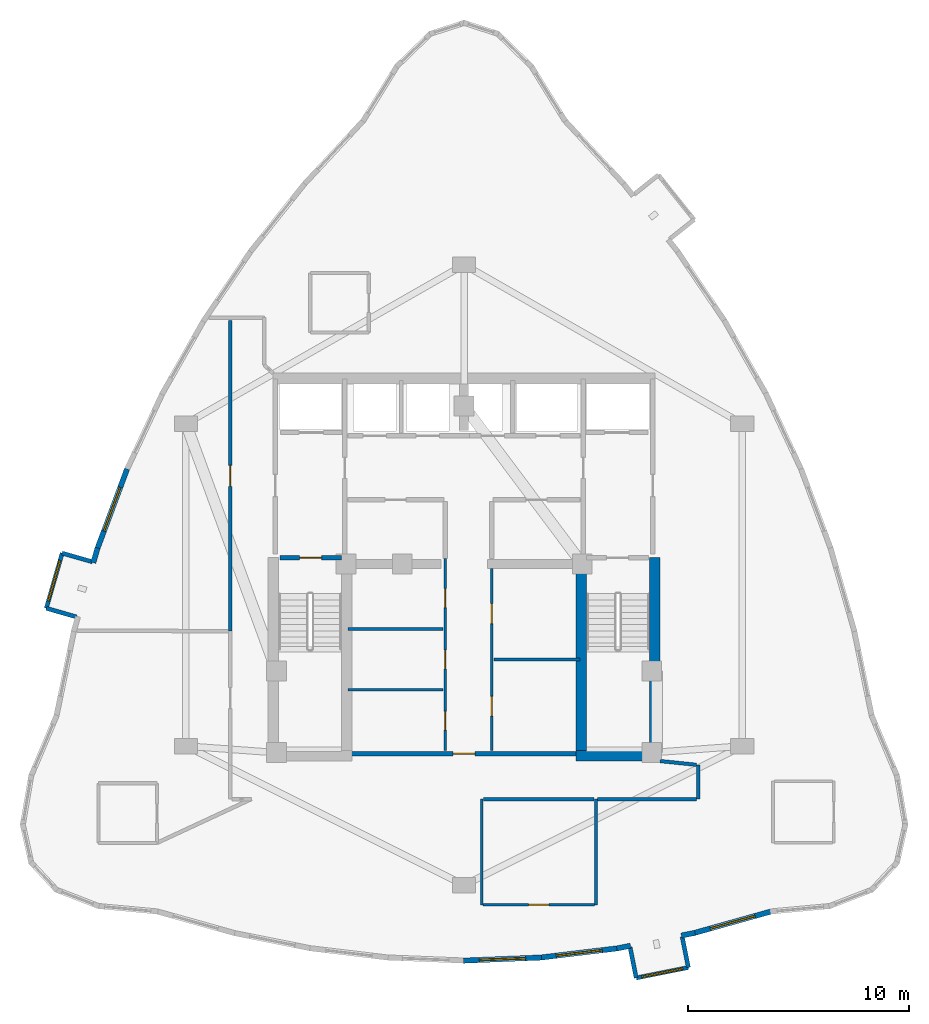
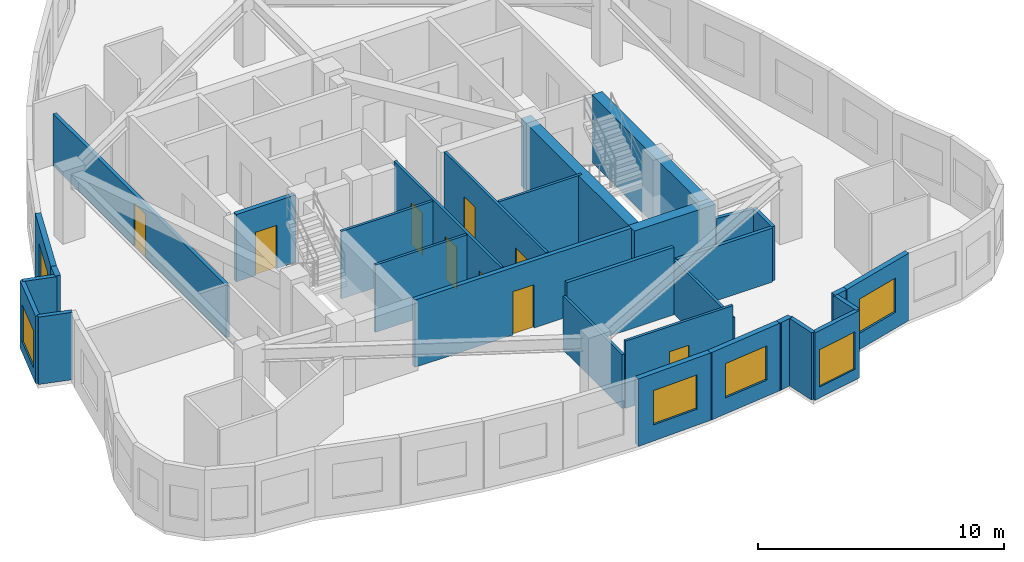
# One storey, part 5 of 9: 31 walls, 9 doors, 6 windows, 15 openings.
"""IFC4 building model written with IfcOpenShell, lengths in metres."""

from ifc_helpers import new_model, si_unit, direction, frame, frame_2d, origin, place, context, subcontext, project, spatial, rectangle, extrude, material, layer, layer_set, type_object, element, fill, save


model = new_model("IFC4")

# Units and contexts
model_context = context("Model", 3, precision=1e-05, world=origin(), true_north=direction((0.0, 1.0)))
body_context = subcontext(model_context, "Body", "Model", "MODEL_VIEW")
ifc_project = project(units=[si_unit("LENGTHUNIT", "METRE"), si_unit("AREAUNIT", "SQUARE_METRE"), si_unit("VOLUMEUNIT", "CUBIC_METRE"), si_unit("PLANEANGLEUNIT", "RADIAN"), si_unit("MASSUNIT", "GRAM", prefix="KILO")], contexts=[model_context])

# Site, building, storey
site_placement = place(None, origin())
site = spatial("IfcSite", under=ifc_project, at=site_placement, CompositionType="ELEMENT")
building_placement = place(site_placement, origin())
building = spatial("IfcBuilding", under=site, at=building_placement, Name="Miruveldt Soraemaru", CompositionType="ELEMENT")
storey_placement = place(building_placement, frame((0.0, 0.0, 223.199951171875)))
storey = spatial("IfcBuildingStorey", under=building, at=storey_placement, Name="L61", CompositionType="ELEMENT", Elevation=223.199951171875)

# Walls
ifc_material_1 = material(Name="White powder-coated aluminium EN AW-6060 T6", Category="aluminium")
ifc_layer_1 = layer(ifc_material_1, 0.18994140625, Name="White powder-coated aluminium EN AW-6060 T6", Category="aluminium")
ifc_layer_set_1 = layer_set([ifc_layer_1], Name="White powder-coated aluminium EN AW-6060 T6")
wall_type_1 = type_object("IfcWallType", Name="WALL-BAY-ALU190", PredefinedType="SOLIDWALL", material=ifc_layer_set_1)
wall_1_placement = place(storey_placement, frame((27.161865234375, 44.146728515625, 0.0), z_axis=(0.0, 0.0, 1.0), x_axis=(-0.961439844578, 0.275015318223, 0.0)))
element("IfcWall", 1, at=wall_1_placement, inside=storey, type_object=wall_type_1, Name="L61 Bay Window Side Cheek 1L", PredefinedType="SOLIDWALL", context=body_context, shape_type="SweptSolid", body=[
    extrude(rectangle(XDim=1.4248046875, YDim=0.18994140625, at=frame_2d((0.71240234375, 0.0))), origin(), (0.0, 0.0, 1.0), 3.344970703125),
])
wall_2_placement = place(storey_placement, frame((25.076904296875, 42.038818359375, 0.0), z_axis=(0.0, 0.0, 1.0), x_axis=(0.961452801096, -0.274970018845, 0.0)))
element("IfcWall", 2, at=wall_2_placement, inside=storey, type_object=wall_type_1, Name="L61 Bay Window Side Cheek 1R", PredefinedType="SOLIDWALL", context=body_context, shape_type="SweptSolid", body=[
    extrude(rectangle(XDim=1.425048828125, YDim=0.18994140625, at=frame_2d((0.71240234375, 0.0))), origin(), (0.0, 0.0, 1.0), 3.344970703125),
])

# Wall, opening, window
wall_3_placement = place(storey_placement, frame((25.7919921875, 44.53857421875, 0.0), z_axis=(0.0, 0.0, 1.0), x_axis=(-0.275031158597, -0.961435313373, 0.0)))
wall_3 = element("IfcWall", 3, at=wall_3_placement, inside=storey, type_object=wall_type_1, Name="L61 Bay Window Front Frame 1", PredefinedType="SOLIDWALL", context=body_context, shape_type="SweptSolid", body=[
    extrude(rectangle(XDim=2.60009765625, YDim=0.18994140625, at=frame_2d((1.300048828125, 0.0))), origin(), (0.0, 0.0, 1.0), 3.344970703125),
])
opening_1_placement = place(wall_3_placement, frame((0.35009765625, 0.0, 0.550048828125)))
opening_1 = element("IfcOpeningElement", 4, at=opening_1_placement, cuts=wall_3, Name="Opening WN-6", PredefinedType="OPENING", context=body_context, shape_type="SweptSolid", body=[
    extrude(rectangle(XDim=1.89990234375, YDim=1.85009765625, at=frame_2d((0.949951171875, 0.925048828125))), frame((0.0, 0.10498046875, 0.0), z_axis=(0.0, -1.0, 0.0), x_axis=(1.0, 0.0, 0.0)), (0.0, 0.0, 1.0), 0.2099609375),
])
ifc_material_2 = material(Name="Triple low-e insulated glazing", Category="glass")
window_type_1 = type_object("IfcWindowType", Name="WIN-BAYW-1900x1850", PartitioningType="SINGLE_PANEL", PredefinedType="WINDOW", material=ifc_material_2)
window_1_placement = place(opening_1_placement, origin())
window_1 = element("IfcWindow", 5, at=window_1_placement, inside=storey, type_object=window_type_1, Name="L61 Projecting Bay Window 1", OverallHeight=1.85009765625, OverallWidth=1.89990234375, PartitioningType="SINGLE_PANEL", PredefinedType="WINDOW", context=body_context, shape_type="SweptSolid", body=[
    extrude(rectangle(XDim=1.89990234375, YDim=1.85009765625, at=frame_2d((0.949951171875, 0.925048828125))), frame((0.0, 0.030029296875, 0.0), z_axis=(0.0, -1.0, 0.0), x_axis=(1.0, 0.0, 0.0)), (0.0, 0.0, 1.0), 0.06005859375),
])
fill(opening_1, window_1)

# Walls
for number, where, z_axis, x_axis, name in (
    (6, (51.5166015625, 26.693359375, 0.0), (0.0, 0.0, 1.0), (0.196149079112, -0.980574086321, 0.0), "L61 Bay Window Side Cheek 2L"),
    (7, (54.159423828125, 25.7685546875, 0.0), (0.0, 0.0, 1.0), (-0.196149079112, 0.980574086321, 0.0), "L61 Bay Window Side Cheek 2R"),
):
    element("IfcWall", number, at=place(storey_placement, frame(where, z_axis=z_axis, x_axis=x_axis)), inside=storey, type_object=wall_type_1, Name=name, PredefinedType="SOLIDWALL", context=body_context, shape_type="SweptSolid", body=[
        extrude(rectangle(XDim=1.425048828125, YDim=0.18994140625, at=frame_2d((0.71240234375, 0.0))), origin(), (0.0, 0.0, 1.0), 3.344970703125),
    ])

# Wall, opening, window
wall_4_placement = place(storey_placement, frame((51.796142578125, 25.2958984375, 0.0), z_axis=(0.0, 0.0, 1.0), x_axis=(0.980580675691, 0.196116135138, 0.0)))
wall_4 = element("IfcWall", 8, at=wall_4_placement, inside=storey, type_object=wall_type_1, Name="L61 Bay Window Front Frame 2", PredefinedType="SOLIDWALL", context=body_context, shape_type="SweptSolid", body=[
    extrude(rectangle(XDim=2.41015625, YDim=0.18994140625, at=frame_2d((1.205078125, 0.0))), origin(), (0.0, 0.0, 1.0), 3.344970703125),
])
opening_2_placement = place(wall_4_placement, frame((0.2548828125, 0.0, 0.550048828125)))
opening_2 = element("IfcOpeningElement", 9, at=opening_2_placement, cuts=wall_4, Name="Opening WN-6", PredefinedType="OPENING", context=body_context, shape_type="SweptSolid", body=[
    extrude(rectangle(XDim=1.89990234375, YDim=1.85009765625, at=frame_2d((0.949951171875, 0.925048828125))), frame((0.0, 0.10498046875, 0.0), z_axis=(0.0, -1.0, 0.0), x_axis=(1.0, 0.0, 0.0)), (0.0, 0.0, 1.0), 0.2099609375),
])
window_2_placement = place(opening_2_placement, origin())
window_2 = element("IfcWindow", 10, at=window_2_placement, inside=storey, type_object=window_type_1, Name="L61 Projecting Bay Window 2", OverallHeight=1.85009765625, OverallWidth=1.89990234375, PartitioningType="SINGLE_PANEL", PredefinedType="WINDOW", context=body_context, shape_type="SweptSolid", body=[
    extrude(rectangle(XDim=1.89990234375, YDim=1.85009765625, at=frame_2d((0.949951171875, 0.925048828125))), frame((0.0, 0.030029296875, 0.0), z_axis=(0.0, -1.0, 0.0), x_axis=(1.0, 0.0, 0.0)), (0.0, 0.0, 1.0), 0.06005859375),
])
fill(opening_2, window_2)

# Walls
ifc_material_3 = material(Name="Concrete C60/75 (60 MPa)", Category="concrete")
ifc_layer_2 = layer(ifc_material_3, 0.47998046875, Name="Concrete C60/75 (60 MPa)", Category="concrete")
ifc_layer_set_2 = layer_set([ifc_layer_2], Name="Concrete C60/75 (60 MPa)")
wall_type_2 = type_object("IfcWallType", Name="WALL-CW-480", PredefinedType="SHEAR", material=ifc_layer_set_2)
wall_5_placement = place(storey_placement, frame((49.070068359375, 35.360107421875, 0.0), z_axis=(0.0, 0.0, 1.0), x_axis=(1.0, 0.0, 0.0)))
element("IfcWall", 11, at=wall_5_placement, inside=storey, type_object=wall_type_2, Name="L61 Central Core Shear Wall S2", PredefinedType="SHEAR", context=body_context, shape_type="SweptSolid", body=[
    extrude(rectangle(XDim=3.809814453125, YDim=0.47998046875, at=frame_2d((1.90478515625, 0.0))), origin(), (0.0, 0.0, 1.0), 3.344970703125),
])
wall_6_placement = place(storey_placement, frame((52.639892578125, 35.1201171875, 0.0), z_axis=(0.0, 0.0, 1.0), x_axis=(0.0, 1.0, 0.0)))
element("IfcWall", 12, at=wall_6_placement, inside=storey, type_object=wall_type_2, Name="L61 Central Core Shear Wall E1", PredefinedType="SHEAR", context=body_context, shape_type="SweptSolid", body=[
    extrude(rectangle(XDim=9.22998046875, YDim=0.47998046875, at=frame_2d((4.614990234375, 0.0))), origin(), (0.0, 0.0, 1.0), 3.344970703125),
])
wall_7_placement = place(storey_placement, frame((49.31005859375, 35.39990234375, 0.0), z_axis=(0.0, 0.0, 1.0), x_axis=(0.0, 1.0, 0.0)))
element("IfcWall", 13, at=wall_7_placement, inside=storey, type_object=wall_type_2, Name="L61 Central Core Shear Wall SE-INT", PredefinedType="SHEAR", context=body_context, shape_type="SweptSolid", body=[
    extrude(rectangle(XDim=8.9501953125, YDim=0.47998046875, at=frame_2d((4.47509765625, 0.0))), origin(), (0.0, 0.0, 1.0), 3.344970703125),
])

# Wall, opening, window
ifc_material_4 = material(Name="Precast concrete C45/55 (45 MPa)", Category="concrete")
ifc_layer_3 = layer(ifc_material_4, 0.239990234375, Name="Precast concrete C45/55 (45 MPa)", Category="concrete")
ifc_layer_set_3 = layer_set([ifc_layer_3], Name="Precast concrete C45/55 (45 MPa)")
wall_type_3 = type_object("IfcWallType", Name="WALL-EXT-PC240", PredefinedType="SOLIDWALL", material=ifc_layer_set_3)
wall_8_placement = place(storey_placement, frame((28.734130859375, 48.352783203125, 0.0), z_axis=(0.0, 0.0, 1.0), x_axis=(-0.349010667613, -0.937118751222, 0.0)))
wall_8 = element("IfcWall", 14, at=wall_8_placement, inside=storey, type_object=wall_type_3, Name="L61 Precast Concrete Facade Wall 12", PredefinedType="SOLIDWALL", context=body_context, shape_type="SweptSolid", body=[
    extrude(rectangle(XDim=3.889404296875, YDim=0.239990234375, at=frame_2d((1.94482421875, 0.0))), origin(), (0.0, 0.0, 1.0), 3.344970703125),
])
opening_3_placement = place(wall_8_placement, frame((0.89501953125, 0.0, 0.800048828125)))
opening_3 = element("IfcOpeningElement", 15, at=opening_3_placement, cuts=wall_8, Name="Opening WN-1", PredefinedType="OPENING", context=body_context, shape_type="SweptSolid", body=[
    extrude(rectangle(XDim=2.10009765625, YDim=1.699951171875, at=frame_2d((1.050048828125, 0.85009765625))), frame((0.0, 0.1298828125, 0.0), z_axis=(0.0, -1.0, 0.0), x_axis=(1.0, 0.0, 0.0)), (0.0, 0.0, 1.0), 0.260009765625),
])
window_type_2 = type_object("IfcWindowType", Name="WIN-PUNCH-2100x1700", PartitioningType="SINGLE_PANEL", PredefinedType="WINDOW", material=ifc_material_2)
window_3_placement = place(opening_3_placement, origin())
window_3 = element("IfcWindow", 16, at=window_3_placement, inside=storey, type_object=window_type_2, Name="L61 Punched Triple-Glazed Window 12.1", OverallHeight=1.699951171875, OverallWidth=2.10009765625, PartitioningType="SINGLE_PANEL", PredefinedType="WINDOW", context=body_context, shape_type="SweptSolid", body=[
    extrude(rectangle(XDim=2.10009765625, YDim=1.699951171875, at=frame_2d((1.050048828125, 0.85009765625))), frame((0.0, 0.030029296875, 0.0), z_axis=(0.0, -1.0, 0.0), x_axis=(1.0, 0.0, 0.0)), (0.0, 0.0, 1.0), 0.06005859375),
])
fill(opening_3, window_3)

# Wall
wall_9_placement = place(storey_placement, frame((27.398681640625, 44.7744140625, 0.0), z_axis=(0.0, 0.0, 1.0), x_axis=(-0.275044220603, -0.961431576719, 0.0)))
element("IfcWall", 17, at=wall_9_placement, inside=storey, type_object=wall_type_3, Name="L61 Precast Pier Wall 13A", PredefinedType="SOLIDWALL", context=body_context, shape_type="SweptSolid", body=[
    extrude(rectangle(XDim=0.698486328125, YDim=0.239990234375, at=frame_2d((0.34912109375, 0.0))), origin(), (0.0, 0.0, 1.0), 3.344970703125),
])

# Wall, opening, window
wall_10_placement = place(storey_placement, frame((43.965087890625, 26.07861328125, 0.0), z_axis=(0.0, 0.0, 1.0), x_axis=(0.999200408983, 0.03998177945, 0.0)))
wall_10 = element("IfcWall", 18, at=wall_10_placement, inside=storey, type_object=wall_type_3, Name="L61 Precast Concrete Facade Wall 25", PredefinedType="SOLIDWALL", context=body_context, shape_type="SweptSolid", body=[
    extrude(rectangle(XDim=3.5478515625, YDim=0.239990234375, at=frame_2d((1.77392578125, 0.0))), origin(), (0.0, 0.0, 1.0), 3.344970703125),
])
opening_4_placement = place(wall_10_placement, frame((0.72412109375, 0.0, 0.800048828125)))
opening_4 = element("IfcOpeningElement", 19, at=opening_4_placement, cuts=wall_10, Name="Opening WN-1", PredefinedType="OPENING", context=body_context, shape_type="SweptSolid", body=[
    extrude(rectangle(XDim=2.10009765625, YDim=1.699951171875, at=frame_2d((1.050048828125, 0.85009765625))), frame((0.0, 0.1298828125, 0.0), z_axis=(0.0, -1.0, 0.0), x_axis=(1.0, 0.0, 0.0)), (0.0, 0.0, 1.0), 0.260009765625),
])
window_4_placement = place(opening_4_placement, origin())
window_4 = element("IfcWindow", 20, at=window_4_placement, inside=storey, type_object=window_type_2, Name="L61 Punched Triple-Glazed Window 25.1", OverallHeight=1.699951171875, OverallWidth=2.10009765625, PartitioningType="SINGLE_PANEL", PredefinedType="WINDOW", context=body_context, shape_type="SweptSolid", body=[
    extrude(rectangle(XDim=2.10009765625, YDim=1.699951171875, at=frame_2d((1.050048828125, 0.85009765625))), frame((0.0, 0.030029296875, 0.0), z_axis=(0.0, -1.0, 0.0), x_axis=(1.0, 0.0, 0.0)), (0.0, 0.0, 1.0), 0.06005859375),
])
fill(opening_4, window_4)

wall_11_placement = place(storey_placement, frame((47.440185546875, 26.21484375, 0.0), z_axis=(0.0, 0.0, 1.0), x_axis=(0.99287910342, 0.119126344663, 0.0)))
wall_11 = element("IfcWall", 21, at=wall_11_placement, inside=storey, type_object=wall_type_3, Name="L61 Precast Concrete Facade Wall 26", PredefinedType="SOLIDWALL", context=body_context, shape_type="SweptSolid", body=[
    extrude(rectangle(XDim=3.570068359375, YDim=0.239990234375, at=frame_2d((1.78515625, 0.0))), origin(), (0.0, 0.0, 1.0), 3.344970703125),
])
opening_5_placement = place(wall_11_placement, frame((0.735107421875, 0.0, 0.800048828125)))
opening_5 = element("IfcOpeningElement", 22, at=opening_5_placement, cuts=wall_11, Name="Opening WN-1", PredefinedType="OPENING", context=body_context, shape_type="SweptSolid", body=[
    extrude(rectangle(XDim=2.10009765625, YDim=1.699951171875, at=frame_2d((1.050048828125, 0.85009765625))), frame((0.0, 0.1298828125, 0.0), z_axis=(0.0, -1.0, 0.0), x_axis=(1.0, 0.0, 0.0)), (0.0, 0.0, 1.0), 0.260009765625),
])
window_5_placement = place(opening_5_placement, origin())
window_5 = element("IfcWindow", 23, at=window_5_placement, inside=storey, type_object=window_type_2, Name="L61 Punched Triple-Glazed Window 26.1", OverallHeight=1.699951171875, OverallWidth=2.10009765625, PartitioningType="SINGLE_PANEL", PredefinedType="WINDOW", context=body_context, shape_type="SweptSolid", body=[
    extrude(rectangle(XDim=2.10009765625, YDim=1.699951171875, at=frame_2d((1.050048828125, 0.85009765625))), frame((0.0, 0.030029296875, 0.0), z_axis=(0.0, -1.0, 0.0), x_axis=(1.0, 0.0, 0.0)), (0.0, 0.0, 1.0), 0.06005859375),
])
fill(opening_5, window_5)

# Walls
for number, where, z_axis, x_axis, name in (
    (24, (50.915771484375, 26.629150390625, 0.0), (0.0, 0.0, 1.0), (0.980550945364, 0.196264728229, 0.0), "L61 Precast Pier Wall 27A"),
    (25, (53.83984375, 27.2138671875, 0.0), (0.0, 0.0, 1.0), (0.980550945364, 0.196264728229, 0.0), "L61 Precast Pier Wall 27B"),
):
    element("IfcWall", number, at=place(storey_placement, frame(where, z_axis=z_axis, x_axis=x_axis)), inside=storey, type_object=wall_type_3, Name=name, PredefinedType="SOLIDWALL", context=body_context, shape_type="SweptSolid", body=[
        extrude(rectangle(XDim=0.6318359375, YDim=0.239990234375, at=frame_2d((0.31591796875, 0.0))), origin(), (0.0, 0.0, 1.0), 3.344970703125),
    ])

# Wall, opening, window
wall_12_placement = place(storey_placement, frame((54.391357421875, 27.321533203125, 0.0), z_axis=(0.0, 0.0, 1.0), x_axis=(0.962960573366, 0.269642233603, 0.0)))
wall_12 = element("IfcWall", 26, at=wall_12_placement, inside=storey, type_object=wall_type_3, Name="L61 Precast Concrete Facade Wall 28", PredefinedType="SOLIDWALL", context=body_context, shape_type="SweptSolid", body=[
    extrude(rectangle(XDim=3.6787109375, YDim=0.239990234375, at=frame_2d((1.83935546875, 0.0))), origin(), (0.0, 0.0, 1.0), 3.344970703125),
])
opening_6_placement = place(wall_12_placement, frame((0.7900390625, 0.0, 0.800048828125)))
opening_6 = element("IfcOpeningElement", 27, at=opening_6_placement, cuts=wall_12, Name="Opening WN-1", PredefinedType="OPENING", context=body_context, shape_type="SweptSolid", body=[
    extrude(rectangle(XDim=2.10009765625, YDim=1.699951171875, at=frame_2d((1.050048828125, 0.85009765625))), frame((0.0, 0.1298828125, 0.0), z_axis=(0.0, -1.0, 0.0), x_axis=(1.0, 0.0, 0.0)), (0.0, 0.0, 1.0), 0.260009765625),
])
window_6_placement = place(opening_6_placement, origin())
window_6 = element("IfcWindow", 28, at=window_6_placement, inside=storey, type_object=window_type_2, Name="L61 Punched Triple-Glazed Window 28.1", OverallHeight=1.699951171875, OverallWidth=2.10009765625, PartitioningType="SINGLE_PANEL", PredefinedType="WINDOW", context=body_context, shape_type="SweptSolid", body=[
    extrude(rectangle(XDim=2.10009765625, YDim=1.699951171875, at=frame_2d((1.050048828125, 0.85009765625))), frame((0.0, 0.030029296875, 0.0), z_axis=(0.0, -1.0, 0.0), x_axis=(1.0, 0.0, 0.0)), (0.0, 0.0, 1.0), 0.06005859375),
])
fill(opening_6, window_6)

# Wall, openings, doors
ifc_material_5 = material(Name="Gypsum plasterboard lining", Category="gypsum")
ifc_layer_4 = layer(ifc_material_5, 0.1201171875, Name="Gypsum plasterboard lining", Category="gypsum")
ifc_layer_set_4 = layer_set([ifc_layer_4], Name="Gypsum plasterboard lining")
wall_type_4 = type_object("IfcWallType", Name="WALL-INT-P120", PredefinedType="PARTITIONING", material=ifc_layer_set_4)
wall_13_placement = place(storey_placement, frame((43.14990234375, 35.60009765625, 0.0), z_axis=(0.0, 0.0, 1.0), x_axis=(0.0, 1.0, 0.0)))
wall_13 = element("IfcWall", 29, at=wall_13_placement, inside=storey, type_object=wall_type_4, Name="L61 Core Compartment Wall SP-WL", PredefinedType="PARTITIONING", context=body_context, shape_type="SweptSolid", body=[
    extrude(rectangle(XDim=8.699951171875, YDim=0.1201171875, at=frame_2d((4.35009765625, 0.0))), origin(), (0.0, 0.0, 1.0), 3.344970703125),
])
opening_7_placement = place(wall_13_placement, frame((0.925048828125, 0.0, 0.0)))
opening_7 = element("IfcOpeningElement", 30, at=opening_7_placement, cuts=wall_13, Name="Opening FD3", PredefinedType="OPENING", context=body_context, shape_type="SweptSolid", body=[
    extrude(rectangle(XDim=0.85009765625, YDim=2.10009765625, at=frame_2d((0.425048828125, 1.050048828125))), frame((0.0, 0.070068359375, 0.0), z_axis=(0.0, -1.0, 0.0), x_axis=(1.0, 0.0, 0.0)), (0.0, 0.0, 1.0), 0.14013671875),
])
opening_8_placement = place(wall_13_placement, frame((3.695068359375, 0.0, 0.0)))
opening_8 = element("IfcOpeningElement", 31, at=opening_8_placement, cuts=wall_13, Name="Opening FD3", PredefinedType="OPENING", context=body_context, shape_type="SweptSolid", body=[
    extrude(rectangle(XDim=0.85009765625, YDim=2.10009765625, at=frame_2d((0.425048828125, 1.050048828125))), frame((0.0, 0.070068359375, 0.0), z_axis=(0.0, -1.0, 0.0), x_axis=(1.0, 0.0, 0.0)), (0.0, 0.0, 1.0), 0.14013671875),
])
opening_9_placement = place(wall_13_placement, frame((6.47509765625, 0.0, 0.0)))
opening_9 = element("IfcOpeningElement", 32, at=opening_9_placement, cuts=wall_13, Name="Opening FD3", PredefinedType="OPENING", context=body_context, shape_type="SweptSolid", body=[
    extrude(rectangle(XDim=0.85009765625, YDim=2.10009765625, at=frame_2d((0.425048828125, 1.050048828125))), frame((0.0, 0.070068359375, 0.0), z_axis=(0.0, -1.0, 0.0), x_axis=(1.0, 0.0, 0.0)), (0.0, 0.0, 1.0), 0.14013671875),
])
ifc_material_6 = material(Name="Anodised aluminium EN AW-6063 T6", Category="aluminium")
door_type_1 = type_object("IfcDoorType", Name="DOOR-FD3-850", OperationType="NOTDEFINED", PredefinedType="DOOR", material=ifc_material_6)
door_1_placement = place(opening_7_placement, origin())
door_1 = element("IfcDoor", 33, at=door_1_placement, inside=storey, type_object=door_type_1, Name="L61 Fire Door", OperationType="SINGLE_SWING_LEFT", OverallHeight=2.10009765625, OverallWidth=0.85009765625, PredefinedType="DOOR", context=body_context, shape_type="SweptSolid", body=[
    extrude(rectangle(XDim=0.85009765625, YDim=2.10009765625, at=frame_2d((0.425048828125, 1.050048828125))), frame((0.0, 0.02490234375, 0.0), z_axis=(0.0, -1.0, 0.0), x_axis=(1.0, 0.0, 0.0)), (0.0, 0.0, 1.0), 0.050048828125),
])
fill(opening_7, door_1)
door_2_placement = place(opening_8_placement, origin())
door_2 = element("IfcDoor", 34, at=door_2_placement, inside=storey, type_object=door_type_1, Name="L61 Fire Door", OperationType="SINGLE_SWING_LEFT", OverallHeight=2.10009765625, OverallWidth=0.85009765625, PredefinedType="DOOR", context=body_context, shape_type="SweptSolid", body=[
    extrude(rectangle(XDim=0.85009765625, YDim=2.10009765625, at=frame_2d((0.425048828125, 1.050048828125))), frame((0.0, 0.02490234375, 0.0), z_axis=(0.0, -1.0, 0.0), x_axis=(1.0, 0.0, 0.0)), (0.0, 0.0, 1.0), 0.050048828125),
])
fill(opening_8, door_2)
door_3_placement = place(opening_9_placement, origin())
door_3 = element("IfcDoor", 35, at=door_3_placement, inside=storey, type_object=door_type_1, Name="L61 Fire Door", OperationType="SINGLE_SWING_LEFT", OverallHeight=2.10009765625, OverallWidth=0.85009765625, PredefinedType="DOOR", context=body_context, shape_type="SweptSolid", body=[
    extrude(rectangle(XDim=0.85009765625, YDim=2.10009765625, at=frame_2d((0.425048828125, 1.050048828125))), frame((0.0, 0.02490234375, 0.0), z_axis=(0.0, -1.0, 0.0), x_axis=(1.0, 0.0, 0.0)), (0.0, 0.0, 1.0), 0.050048828125),
])
fill(opening_9, door_3)

wall_14_placement = place(storey_placement, frame((45.25, 35.60009765625, 0.0), z_axis=(0.0, 0.0, 1.0), x_axis=(0.0, 1.0, 0.0)))
wall_14 = element("IfcWall", 36, at=wall_14_placement, inside=storey, type_object=wall_type_4, Name="L61 Core Compartment Wall SP-EL", PredefinedType="PARTITIONING", context=body_context, shape_type="SweptSolid", body=[
    extrude(rectangle(XDim=8.25, YDim=0.1201171875, at=frame_2d((4.125, 0.0))), origin(), (0.0, 0.0, 1.0), 3.344970703125),
])
opening_10_placement = place(wall_14_placement, frame((1.550048828125, 0.0, 0.0)))
opening_10 = element("IfcOpeningElement", 37, at=opening_10_placement, cuts=wall_14, Name="Opening D3", PredefinedType="OPENING", context=body_context, shape_type="SweptSolid", body=[
    extrude(rectangle(XDim=0.89990234375, YDim=2.10009765625, at=frame_2d((0.449951171875, 1.050048828125))), frame((0.0, 0.070068359375, 0.0), z_axis=(0.0, -1.0, 0.0), x_axis=(1.0, 0.0, 0.0)), (0.0, 0.0, 1.0), 0.14013671875),
])
opening_11_placement = place(wall_14_placement, frame((5.75, 0.0, 0.0)))
opening_11 = element("IfcOpeningElement", 38, at=opening_11_placement, cuts=wall_14, Name="Opening D3", PredefinedType="OPENING", context=body_context, shape_type="SweptSolid", body=[
    extrude(rectangle(XDim=0.89990234375, YDim=2.10009765625, at=frame_2d((0.449951171875, 1.050048828125))), frame((0.0, 0.070068359375, 0.0), z_axis=(0.0, -1.0, 0.0), x_axis=(1.0, 0.0, 0.0)), (0.0, 0.0, 1.0), 0.14013671875),
])
door_type_2 = type_object("IfcDoorType", Name="DOOR-INT-900", OperationType="NOTDEFINED", PredefinedType="DOOR", material=ifc_material_6)
door_4_placement = place(opening_10_placement, origin())
door_4 = element("IfcDoor", 39, at=door_4_placement, inside=storey, type_object=door_type_2, Name="L61 Fire Door", OperationType="SINGLE_SWING_LEFT", OverallHeight=2.10009765625, OverallWidth=0.89990234375, PredefinedType="DOOR", context=body_context, shape_type="SweptSolid", body=[
    extrude(rectangle(XDim=0.89990234375, YDim=2.10009765625, at=frame_2d((0.449951171875, 1.050048828125))), frame((0.0, 0.02490234375, 0.0), z_axis=(0.0, -1.0, 0.0), x_axis=(1.0, 0.0, 0.0)), (0.0, 0.0, 1.0), 0.050048828125),
])
fill(opening_10, door_4)
door_5_placement = place(opening_11_placement, origin())
door_5 = element("IfcDoor", 40, at=door_5_placement, inside=storey, type_object=door_type_2, Name="L61 Fire Door", OperationType="SINGLE_SWING_LEFT", OverallHeight=2.10009765625, OverallWidth=0.89990234375, PredefinedType="DOOR", context=body_context, shape_type="SweptSolid", body=[
    extrude(rectangle(XDim=0.89990234375, YDim=2.10009765625, at=frame_2d((0.449951171875, 1.050048828125))), frame((0.0, 0.02490234375, 0.0), z_axis=(0.0, -1.0, 0.0), x_axis=(1.0, 0.0, 0.0)), (0.0, 0.0, 1.0), 0.050048828125),
])
fill(opening_11, door_5)

# Wall, opening, door
wall_15_placement = place(storey_placement, frame((49.9130859375, 28.610107421875, 0.0), z_axis=(0.0, 0.0, 1.0), x_axis=(-1.0, 0.0, 0.0)))
wall_15 = element("IfcWall", 41, at=wall_15_placement, inside=storey, type_object=wall_type_4, Name="L61 Partition Wall 22", PredefinedType="PARTITIONING", context=body_context, shape_type="SweptSolid", body=[
    extrude(rectangle(XDim=5.05712890625, YDim=0.1201171875, at=frame_2d((2.528564453125, 0.0))), origin(), (0.0, 0.0, 1.0), 3.344970703125),
])
opening_12_placement = place(wall_15_placement, frame((2.068115234375, 0.0, 0.0)))
opening_12 = element("IfcOpeningElement", 42, at=opening_12_placement, cuts=wall_15, Name="Opening D3A", PredefinedType="OPENING", context=body_context, shape_type="SweptSolid", body=[
    extrude(rectangle(XDim=0.919921875, YDim=2.10009765625, at=frame_2d((0.4599609375, 1.050048828125))), frame((0.0, 0.070068359375, 0.0), z_axis=(0.0, -1.0, 0.0), x_axis=(1.0, 0.0, 0.0)), (0.0, 0.0, 1.0), 0.14013671875),
])
door_type_3 = type_object("IfcDoorType", Name="DOOR-INT-920", OperationType="NOTDEFINED", PredefinedType="DOOR", material=ifc_material_6)
door_6_placement = place(opening_12_placement, origin())
door_6 = element("IfcDoor", 43, at=door_6_placement, inside=storey, type_object=door_type_3, Name="L61 Unit CL02 EXT Door", OperationType="SINGLE_SWING_RIGHT", OverallHeight=2.10009765625, OverallWidth=0.919921875, PredefinedType="DOOR", context=body_context, shape_type="SweptSolid", body=[
    extrude(rectangle(XDim=0.919921875, YDim=2.10009765625, at=frame_2d((0.4599609375, 1.050048828125))), frame((0.0, 0.02490234375, 0.0), z_axis=(0.0, -1.0, 0.0), x_axis=(1.0, 0.0, 0.0)), (0.0, 0.0, 1.0), 0.050048828125),
])
fill(opening_12, door_6)

# Walls
for number, where, z_axis, x_axis, name in (
    (44, (49.972900390625, 33.39990234375, 0.0), (0.0, 0.0, 1.0), (0.0, -1.0, 0.0), "L61 Partition Wall 21"),
    (45, (44.7958984375, 28.610107421875, 0.0), (0.0, 0.0, 1.0), (0.0, 1.0, 0.0), "L61 Partition Wall 26"),
):
    element("IfcWall", number, at=place(storey_placement, frame(where, z_axis=z_axis, x_axis=x_axis)), inside=storey, type_object=wall_type_4, Name=name, PredefinedType="PARTITIONING", context=body_context, shape_type="SweptSolid", body=[
        extrude(rectangle(XDim=4.789794921875, YDim=0.1201171875, at=frame_2d((2.39501953125, 0.0))), origin(), (0.0, 0.0, 1.0), 2.68310546875),
    ])
for number, where, z_axis, x_axis, name in (
    (46, (38.75, 38.35009765625, 0.0), (0.0, 0.0, 1.0), (1.0, 0.0, 0.0), "L61 Core Compartment Wall RL-W3A"),
    (47, (38.75, 41.10009765625, 0.0), (0.0, 0.0, 1.0), (1.0, 0.0, 0.0), "L61 Core Compartment Wall RL-W3B"),
):
    element("IfcWall", number, at=place(storey_placement, frame(where, z_axis=z_axis, x_axis=x_axis)), inside=storey, type_object=wall_type_4, Name=name, PredefinedType="PARTITIONING", context=body_context, shape_type="SweptSolid", body=[
        extrude(rectangle(XDim=4.300048828125, YDim=0.1201171875, at=frame_2d((2.14990234375, 0.0))), origin(), (0.0, 0.0, 1.0), 3.344970703125),
    ])
wall_16_placement = place(storey_placement, frame((45.35009765625, 39.719970703125, 0.0), z_axis=(0.0, 0.0, 1.0), x_axis=(1.0, 0.0, 0.0)))
element("IfcWall", 48, at=wall_16_placement, inside=storey, type_object=wall_type_4, Name="L61 Core Compartment Wall RL-E3H", PredefinedType="PARTITIONING", context=body_context, shape_type="SweptSolid", body=[
    extrude(rectangle(XDim=3.89990234375, YDim=0.1201171875, at=frame_2d((1.949951171875, 0.0))), origin(), (0.0, 0.0, 1.0), 3.344970703125),
])

# Wall, opening, door
ifc_material_7 = material(Name="Concrete C40/50 (40 MPa)", Category="concrete")
ifc_layer_5 = layer(ifc_material_7, 0.159912109375, Name="Concrete C40/50 (40 MPa)", Category="concrete")
ifc_layer_set_5 = layer_set([ifc_layer_5], Name="Concrete C40/50 (40 MPa)")
wall_type_5 = type_object("IfcWallType", Name="WALL-INT-RC160", PredefinedType="SOLIDWALL", material=ifc_layer_set_5)
wall_17_placement = place(storey_placement, frame((33.39990234375, 55.076904296875, 0.0), z_axis=(0.0, 0.0, 1.0), x_axis=(0.0, -1.0, 0.0)))
wall_17 = element("IfcWall", 49, at=wall_17_placement, inside=storey, type_object=wall_type_5, Name="L61 Partition Wall 3", PredefinedType="SOLIDWALL", context=body_context, shape_type="SweptSolid", body=[
    extrude(rectangle(XDim=14.072998046875, YDim=0.159912109375, at=frame_2d((7.03662109375, 0.0))), origin(), (0.0, 0.0, 1.0), 2.5830078125),
])
opening_13_placement = place(wall_17_placement, frame((6.56201171875, 0.0, 0.0)))
opening_13 = element("IfcOpeningElement", 50, at=opening_13_placement, cuts=wall_17, Name="Opening FD2", PredefinedType="OPENING", context=body_context, shape_type="SweptSolid", body=[
    extrude(rectangle(XDim=0.949951171875, YDim=2.14990234375, at=frame_2d((0.47509765625, 1.074951171875))), frame((0.0, 0.08984375, 0.0), z_axis=(0.0, -1.0, 0.0), x_axis=(1.0, 0.0, 0.0)), (0.0, 0.0, 1.0), 0.179931640625),
])
door_type_4 = type_object("IfcDoorType", Name="DOOR-FD2-950", OperationType="NOTDEFINED", PredefinedType="DOOR", material=ifc_material_6)
door_7_placement = place(opening_13_placement, origin())
door_7 = element("IfcDoor", 51, at=door_7_placement, inside=storey, type_object=door_type_4, Name="L61 Unit CL01 Entrance Fire Door", OperationType="SINGLE_SWING_LEFT", OverallHeight=2.14990234375, OverallWidth=0.949951171875, PredefinedType="DOOR", context=body_context, shape_type="SweptSolid", body=[
    extrude(rectangle(XDim=0.949951171875, YDim=2.14990234375, at=frame_2d((0.47509765625, 1.074951171875))), frame((0.0, 0.02490234375, 0.0), z_axis=(0.0, -1.0, 0.0), x_axis=(1.0, 0.0, 0.0)), (0.0, 0.0, 1.0), 0.050048828125),
])
fill(opening_13, door_7)

# Walls
wall_18_placement = place(storey_placement, frame((44.8759765625, 33.39990234375, 0.0), z_axis=(0.0, 0.0, 1.0), x_axis=(1.0, 0.0, 0.0)))
element("IfcWall", 52, at=wall_18_placement, inside=storey, type_object=wall_type_5, Name="L61 Partition Wall 10", PredefinedType="SOLIDWALL", context=body_context, shape_type="SweptSolid", body=[
    extrude(rectangle(XDim=5.01708984375, YDim=0.159912109375, at=frame_2d((2.508544921875, 0.0))), origin(), (0.0, 0.0, 1.0), 3.344970703125),
])
wall_19_placement = place(storey_placement, frame((50.052978515625, 33.39990234375, 0.0), z_axis=(0.0, 0.0, 1.0), x_axis=(1.0, 0.0, 0.0)))
element("IfcWall", 53, at=wall_19_placement, inside=storey, type_object=wall_type_5, Name="L61 Partition Wall 7", PredefinedType="SOLIDWALL", context=body_context, shape_type="SweptSolid", body=[
    extrude(rectangle(XDim=4.467041015625, YDim=0.159912109375, at=frame_2d((2.2333984375, 0.0))), origin(), (0.0, 0.0, 1.0), 2.68310546875),
])
wall_20_placement = place(storey_placement, frame((54.52001953125, 34.949951171875, 0.0), z_axis=(0.0, 0.0, 1.0), x_axis=(-0.994660918051, 0.103197180691, 0.0)))
element("IfcWall", 54, at=wall_20_placement, inside=storey, type_object=wall_type_5, Name="L61 Partition Wall 9", PredefinedType="SOLIDWALL", context=body_context, shape_type="SweptSolid", body=[
    extrude(rectangle(XDim=1.64892578125, YDim=0.159912109375, at=frame_2d((0.824462890625, 0.0))), origin(), (0.0, 0.0, 1.0), 2.68310546875),
])
wall_21_placement = place(storey_placement, frame((54.60009765625, 33.39990234375, 0.0), z_axis=(0.0, 0.0, 1.0), x_axis=(0.0, 1.0, 0.0)))
element("IfcWall", 55, at=wall_21_placement, inside=storey, type_object=wall_type_5, Name="L61 Partition Wall 8", PredefinedType="SOLIDWALL", context=body_context, shape_type="SweptSolid", body=[
    extrude(rectangle(XDim=1.550048828125, YDim=0.159912109375, at=frame_2d((0.77490234375, 0.0))), origin(), (0.0, 0.0, 1.0), 2.68310546875),
])

# Wall, opening, door
ifc_layer_6 = layer(ifc_material_7, 0.199951171875, Name="Concrete C40/50 (40 MPa)", Category="concrete")
ifc_layer_set_6 = layer_set([ifc_layer_6], Name="Concrete C40/50 (40 MPa)")
wall_type_6 = type_object("IfcWallType", Name="WALL-INT-RC200", PredefinedType="SOLIDWALL", material=ifc_layer_set_6)
wall_22_placement = place(storey_placement, frame((38.89990234375, 35.449951171875, 0.0), z_axis=(0.0, 0.0, 1.0), x_axis=(1.0, 0.0, 0.0)))
wall_22 = element("IfcWall", 56, at=wall_22_placement, inside=storey, type_object=wall_type_6, Name="L61 Core Compartment Wall CS-S", PredefinedType="SOLIDWALL", context=body_context, shape_type="SweptSolid", body=[
    extrude(rectangle(XDim=10.2001953125, YDim=0.199951171875, at=frame_2d((5.10009765625, 0.0))), origin(), (0.0, 0.0, 1.0), 3.344970703125),
])
opening_14_placement = place(wall_22_placement, frame((4.60009765625, 0.0, 0.0)))
opening_14 = element("IfcOpeningElement", 57, at=opening_14_placement, cuts=wall_22, Name="Opening FD1", PredefinedType="OPENING", context=body_context, shape_type="SweptSolid", body=[
    extrude(rectangle(XDim=1.0, YDim=2.14990234375, at=frame_2d((0.5, 1.074951171875))), frame((0.0, 0.10986328125, 0.0), z_axis=(0.0, -1.0, 0.0), x_axis=(1.0, 0.0, 0.0)), (0.0, 0.0, 1.0), 0.219970703125),
])
door_type_5 = type_object("IfcDoorType", Name="DOOR-FD1-1000", OperationType="NOTDEFINED", PredefinedType="DOOR", material=ifc_material_6)
door_8_placement = place(opening_14_placement, origin())
door_8 = element("IfcDoor", 58, at=door_8_placement, inside=storey, type_object=door_type_5, Name="L61 Core South Lobby Fire Door", OperationType="SINGLE_SWING_LEFT", OverallHeight=2.14990234375, OverallWidth=1.0, PredefinedType="DOOR", context=body_context, shape_type="SweptSolid", body=[
    extrude(rectangle(XDim=1.0, YDim=2.14990234375, at=frame_2d((0.5, 1.074951171875))), frame((0.0, 0.02490234375, 0.0), z_axis=(0.0, -1.0, 0.0), x_axis=(1.0, 0.0, 0.0)), (0.0, 0.0, 1.0), 0.050048828125),
])
fill(opening_14, door_8)

wall_23_placement = place(storey_placement, frame((35.64990234375, 44.320068359375, 0.0), z_axis=(0.0, 0.0, 1.0), x_axis=(1.0, 0.0, 0.0)))
wall_23 = element("IfcWall", 59, at=wall_23_placement, inside=storey, type_object=wall_type_6, Name="L61 Core Compartment Wall ST1-N", PredefinedType="SOLIDWALL", context=body_context, shape_type="SweptSolid", body=[
    extrude(rectangle(XDim=2.800048828125, YDim=0.199951171875, at=frame_2d((1.39990234375, 0.0))), origin(), (0.0, 0.0, 1.0), 3.344970703125),
])
opening_15_placement = place(wall_23_placement, frame((0.89990234375, 0.0, 0.0)))
opening_15 = element("IfcOpeningElement", 60, at=opening_15_placement, cuts=wall_23, Name="Opening FD1", PredefinedType="OPENING", context=body_context, shape_type="SweptSolid", body=[
    extrude(rectangle(XDim=1.0, YDim=2.14990234375, at=frame_2d((0.5, 1.074951171875))), frame((0.0, 0.10986328125, 0.0), z_axis=(0.0, -1.0, 0.0), x_axis=(1.0, 0.0, 0.0)), (0.0, 0.0, 1.0), 0.219970703125),
])
door_9_placement = place(opening_15_placement, frame((1.0, 0.0, 0.0), z_axis=(0.0, 0.0, 1.0), x_axis=(-1.0, 0.0, 0.0)))
door_9 = element("IfcDoor", 61, at=door_9_placement, inside=storey, type_object=door_type_5, Name="L61 Stair ST-1 Fire Door", OperationType="SINGLE_SWING_LEFT", OverallHeight=2.14990234375, OverallWidth=1.0, PredefinedType="DOOR", context=body_context, shape_type="SweptSolid", body=[
    extrude(rectangle(XDim=1.0, YDim=2.14990234375, at=frame_2d((0.5, 1.074951171875))), frame((0.0, 0.02490234375, 0.0), z_axis=(0.0, -1.0, 0.0), x_axis=(1.0, 0.0, 0.0)), (0.0, 0.0, 1.0), 0.050048828125),
])
fill(opening_15, door_9)

save(model, "model.ifc")
